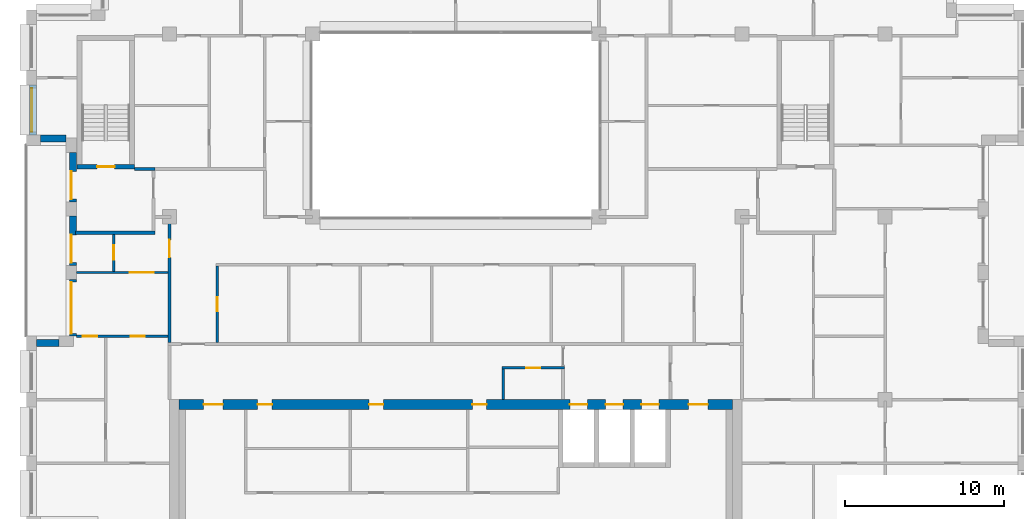
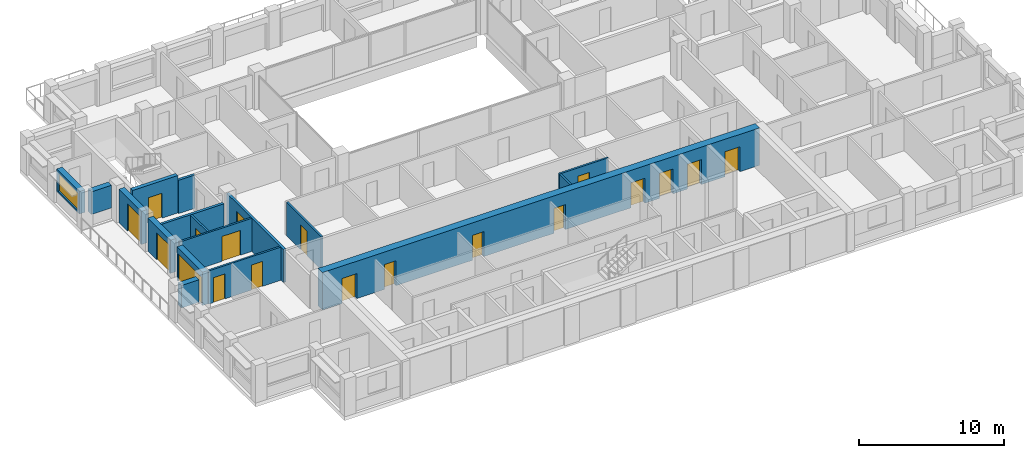
# One storey, part 9 of 15: 19 doors, 17 walls, 1 window, 20 openings.
"""IFC4 building model written with IfcOpenShell, lengths in metres."""

from ifc_helpers import new_model, si_unit, direction, frame, frame_2d, origin, place, context, subcontext, project, spatial, rectangle, extrude, material, layer, layer_set, type_object, element, fill, save


model = new_model("IFC4")

# Units and contexts
model_context = context("Model", 3, precision=1e-05, world=origin(), true_north=direction((0.0, 1.0)))
body_context = subcontext(model_context, "Body", "Model", "MODEL_VIEW")
ifc_project = project(units=[si_unit("LENGTHUNIT", "METRE"), si_unit("AREAUNIT", "SQUARE_METRE"), si_unit("VOLUMEUNIT", "CUBIC_METRE"), si_unit("PLANEANGLEUNIT", "RADIAN"), si_unit("MASSUNIT", "GRAM", prefix="KILO")], contexts=[model_context])

# Site, building, storey
site_placement = place(None, origin())
site = spatial("IfcSite", under=ifc_project, at=site_placement, CompositionType="ELEMENT")
building_placement = place(site_placement, origin())
building = spatial("IfcBuilding", under=site, at=building_placement, Name="Brigalow Station Residences", CompositionType="ELEMENT")
storey_placement = place(building_placement, frame((0.0, 0.0, 232.64990234375)))
storey = spatial("IfcBuildingStorey", under=building, at=storey_placement, Name="L67", CompositionType="ELEMENT", Elevation=232.64990234375)

# Wall, opening, window
ifc_material_1 = material(Name="Clay brick masonry", Category="masonry")
ifc_layer_1 = layer(ifc_material_1, 0.449951171875)
ifc_layer_set_1 = layer_set([ifc_layer_1], Name="BRICK INFILL WALL 450")
wall_type_1 = type_object("IfcWallType", Name="BRICK INFILL WALL 450", PredefinedType="SOLIDWALL", material=ifc_layer_set_1)
wall_1_placement = place(storey_placement, frame((9.425048828125, 32.300048828125, 0.900146484375), z_axis=(0.0, 0.0, 1.0), x_axis=(0.0, -1.0, 0.0)))
wall_1 = element("IfcWall", 1, at=wall_1_placement, inside=storey, type_object=wall_type_1, Name="L67/ewall/W-L67-35", PredefinedType="SOLIDWALL", context=body_context, shape_type="SweptSolid", body=[
    extrude(rectangle(XDim=3.150146484375, YDim=0.449951171875, at=frame_2d((1.5751953125, 0.0))), origin(), (0.0, 0.0, 1.0), 1.89990234375),
])
opening_1_placement = place(wall_1_placement, frame((0.199951171875, 0.0, 0.14990234375)))
opening_1 = element("IfcOpeningElement", 2, at=opening_1_placement, cuts=wall_1, Name="Opening WT-3", PredefinedType="OPENING", context=body_context, shape_type="SweptSolid", body=[
    extrude(rectangle(XDim=2.75, YDim=1.5, at=frame_2d((1.375, 0.75))), frame((0.0, 0.23486328125, 0.0), z_axis=(0.0, -1.0, 0.0), x_axis=(1.0, 0.0, 0.0)), (0.0, 0.0, 1.0), 0.469970703125),
])
ifc_material_2 = material(Name="Anodised aluminium frame with double glazing", Category="aluminium")
window_type = type_object("IfcWindowType", Name="WINDOW 2750x1500", PartitioningType="SINGLE_PANEL", PredefinedType="WINDOW", material=ifc_material_2)
window_placement = place(opening_1_placement, origin())
window = element("IfcWindow", 3, at=window_placement, inside=storey, type_object=window_type, Name="L67/window/W-L67-35", OverallHeight=1.5, OverallWidth=2.75, PartitioningType="SINGLE_PANEL", PredefinedType="WINDOW", context=body_context, shape_type="SweptSolid", body=[
    extrude(rectangle(XDim=2.75, YDim=1.5, at=frame_2d((1.375, 0.75))), frame((0.0, -0.06494140625, 0.0), z_axis=(0.0, -1.0, 0.0), x_axis=(1.0, 0.0, 0.0)), (0.0, 0.0, 1.0), 0.06005859375),
])
fill(opening_1, window)

# Wall
wall_2_placement = place(storey_placement, frame((9.89990234375, 28.925048828125, 0.900146484375), z_axis=(0.0, 0.0, 1.0), x_axis=(1.0, 0.0, 0.0)))
element("IfcWall", 4, at=wall_2_placement, inside=storey, type_object=wall_type_1, Name="L67/ewall/W-L67-36", PredefinedType="SOLIDWALL", context=body_context, shape_type="SweptSolid", body=[
    extrude(rectangle(XDim=1.60009765625, YDim=0.449951171875, at=frame_2d((0.800048828125, 0.0))), origin(), (0.0, 0.0, 1.0), 1.89990234375),
])

# Wall, opening, door
wall_3_placement = place(storey_placement, frame((11.925048828125, 28.050048828125, 0.0), z_axis=(0.0, 0.0, 1.0), x_axis=(0.0, -1.0, 0.0)))
wall_3 = element("IfcWall", 5, at=wall_3_placement, inside=storey, type_object=wall_type_1, Name="L67/ewall/W-L67-37", PredefinedType="SOLIDWALL", context=body_context, shape_type="SweptSolid", body=[
    extrude(rectangle(XDim=3.10009765625, YDim=0.449951171875, at=frame_2d((1.550048828125, 0.0))), origin(), (0.0, 0.0, 1.0), 2.800048828125),
])
opening_2_placement = place(wall_3_placement, frame((1.18505859375, 0.0, 0.0)))
opening_2 = element("IfcOpeningElement", 6, at=opening_2_placement, cuts=wall_3, Name="Opening D-B1750", PredefinedType="OPENING", context=body_context, shape_type="SweptSolid", body=[
    extrude(rectangle(XDim=1.75, YDim=2.300048828125, at=frame_2d((0.875, 1.14990234375))), frame((0.0, 0.23486328125, 0.0), z_axis=(0.0, -1.0, 0.0), x_axis=(1.0, 0.0, 0.0)), (0.0, 0.0, 1.0), 0.469970703125),
])
ifc_material_3 = material(Name="Anodised aluminium frame with double glazing", Category="aluminium")
door_type_1 = type_object("IfcDoorType", Name="BALCONY SLIDING DOOR 1750x2300", OperationType="SLIDING_TO_LEFT", PredefinedType="DOOR", material=ifc_material_3)
door_1_placement = place(opening_2_placement, frame((1.75, -0.18994140625, 0.0), z_axis=(0.0, 0.0, 1.0), x_axis=(-1.0, 0.0, 0.0)))
door_1 = element("IfcDoor", 7, at=door_1_placement, inside=storey, type_object=door_type_1, Name="L67/balcony-door/W-L67-37", OperationType="SLIDING_TO_LEFT", OverallHeight=2.300048828125, OverallWidth=1.75, PredefinedType="DOOR", context=body_context, shape_type="SweptSolid", body=[
    extrude(rectangle(XDim=1.75, YDim=2.300048828125, at=frame_2d((0.875, 1.14990234375))), frame((0.0, -0.06982421875, 0.0), z_axis=(0.0, -1.0, 0.0), x_axis=(1.0, 0.0, 0.0)), (0.0, 0.0, 1.0), 0.050048828125),
])
fill(opening_2, door_1)

wall_4_placement = place(storey_placement, frame((11.925048828125, 24.050048828125, 0.0), z_axis=(0.0, 0.0, 1.0), x_axis=(0.0, -1.0, 0.0)))
wall_4 = element("IfcWall", 8, at=wall_4_placement, inside=storey, type_object=wall_type_1, Name="L67/ewall/W-L67-38", PredefinedType="SOLIDWALL", context=body_context, shape_type="SweptSolid", body=[
    extrude(rectangle(XDim=3.10009765625, YDim=0.449951171875, at=frame_2d((1.550048828125, 0.0))), origin(), (0.0, 0.0, 1.0), 2.800048828125),
])
opening_3_placement = place(wall_4_placement, frame((1.18505859375, 0.0, 0.0)))
opening_3 = element("IfcOpeningElement", 9, at=opening_3_placement, cuts=wall_4, Name="Opening D-B1750", PredefinedType="OPENING", context=body_context, shape_type="SweptSolid", body=[
    extrude(rectangle(XDim=1.75, YDim=2.300048828125, at=frame_2d((0.875, 1.14990234375))), frame((0.0, 0.23486328125, 0.0), z_axis=(0.0, -1.0, 0.0), x_axis=(1.0, 0.0, 0.0)), (0.0, 0.0, 1.0), 0.469970703125),
])
door_2_placement = place(opening_3_placement, origin())
door_2 = element("IfcDoor", 10, at=door_2_placement, inside=storey, type_object=door_type_1, Name="L67/balcony-door/W-L67-38", OperationType="SLIDING_TO_LEFT", OverallHeight=2.300048828125, OverallWidth=1.75, PredefinedType="DOOR", context=body_context, shape_type="SweptSolid", body=[
    extrude(rectangle(XDim=1.75, YDim=2.300048828125, at=frame_2d((0.875, 1.14990234375))), frame((0.0, -0.06982421875, 0.0), z_axis=(0.0, -1.0, 0.0), x_axis=(1.0, 0.0, 0.0)), (0.0, 0.0, 1.0), 0.050048828125),
])
fill(opening_3, door_2)

wall_5_placement = place(storey_placement, frame((11.925048828125, 20.050048828125, 0.0), z_axis=(0.0, 0.0, 1.0), x_axis=(0.0, -1.0, 0.0)))
wall_5 = element("IfcWall", 11, at=wall_5_placement, inside=storey, type_object=wall_type_1, Name="L67/ewall/W-L67-39", PredefinedType="SOLIDWALL", context=body_context, shape_type="SweptSolid", body=[
    extrude(rectangle(XDim=3.550048828125, YDim=0.449951171875, at=frame_2d((1.77490234375, 0.0))), origin(), (0.0, 0.0, 1.0), 2.800048828125),
])
opening_4_placement = place(wall_5_placement, frame((0.14990234375, 0.0, 0.0)))
opening_4 = element("IfcOpeningElement", 12, at=opening_4_placement, cuts=wall_5, Name="Opening D-B3250", PredefinedType="OPENING", context=body_context, shape_type="SweptSolid", body=[
    extrude(rectangle(XDim=3.25, YDim=2.300048828125, at=frame_2d((1.625, 1.14990234375))), frame((0.0, 0.23486328125, 0.0), z_axis=(0.0, -1.0, 0.0), x_axis=(1.0, 0.0, 0.0)), (0.0, 0.0, 1.0), 0.469970703125),
])
ifc_material_4 = material(Name="Anodised aluminium frame with double glazing", Category="aluminium")
door_type_2 = type_object("IfcDoorType", Name="BALCONY SLIDING DOOR 3250x2300", OperationType="SLIDING_TO_LEFT", PredefinedType="DOOR", material=ifc_material_4)
door_3_placement = place(opening_4_placement, origin())
door_3 = element("IfcDoor", 13, at=door_3_placement, inside=storey, type_object=door_type_2, Name="L67/balcony-door/W-L67-39", OperationType="SLIDING_TO_LEFT", OverallHeight=2.300048828125, OverallWidth=3.25, PredefinedType="DOOR", context=body_context, shape_type="SweptSolid", body=[
    extrude(rectangle(XDim=3.25, YDim=2.300048828125, at=frame_2d((1.625, 1.14990234375))), frame((0.0, -0.06982421875, 0.0), z_axis=(0.0, -1.0, 0.0), x_axis=(1.0, 0.0, 0.0)), (0.0, 0.0, 1.0), 0.050048828125),
])
fill(opening_4, door_3)

# Wall
wall_6_placement = place(storey_placement, frame((11.050048828125, 16.074951171875, 0.900146484375), z_axis=(0.0, 0.0, 1.0), x_axis=(-1.0, 0.0, 0.0)))
element("IfcWall", 14, at=wall_6_placement, inside=storey, type_object=wall_type_1, Name="L67/ewall/W-L67-40", PredefinedType="SOLIDWALL", context=body_context, shape_type="SweptSolid", body=[
    extrude(rectangle(XDim=1.400146484375, YDim=0.449951171875, at=frame_2d((0.7001953125, 0.0))), origin(), (0.0, 0.0, 1.0), 1.89990234375),
])

# Wall, opening, door
ifc_material_5 = material(Name="Concrete C50", Category="concrete")
ifc_layer_2 = layer(ifc_material_5, 0.300048828125)
ifc_layer_set_2 = layer_set([ifc_layer_2], Name="CORE SHEAR WALL 300 C50")
wall_type_2 = type_object("IfcWallType", Name="CORE SHEAR WALL 300 C50", PredefinedType="SHEAR", material=ifc_layer_set_2)
wall_7_placement = place(storey_placement, frame((12.199951171875, 27.14990234375, 0.0), z_axis=(0.0, 0.0, 1.0), x_axis=(1.0, 0.0, 0.0)))
wall_7 = element("IfcWall", 15, at=wall_7_placement, inside=storey, type_object=wall_type_2, Name="CORE WALL ST-S1-S L67", PredefinedType="SHEAR", context=body_context, shape_type="SweptSolid", body=[
    extrude(rectangle(XDim=3.60009765625, YDim=0.300048828125, at=frame_2d((1.800048828125, 0.0))), origin(), (0.0, 0.0, 1.0), 3.150146484375),
])
opening_5_placement = place(wall_7_placement, frame((1.25, 0.0, 0.0)))
opening_5 = element("IfcOpeningElement", 16, at=opening_5_placement, cuts=wall_7, Name="Opening D-5015", PredefinedType="OPENING", context=body_context, shape_type="SweptSolid", body=[
    extrude(rectangle(XDim=1.10009765625, YDim=2.10009765625, at=frame_2d((0.550048828125, 1.050048828125))), frame((0.0, 0.16015625, 0.0), z_axis=(0.0, -1.0, 0.0), x_axis=(1.0, 0.0, 0.0)), (0.0, 0.0, 1.0), 0.320068359375),
])
ifc_material_6 = material(Name="Steel fire door leaf in steel frame", Category="steel")
door_type_3 = type_object("IfcDoorType", Name="STAIR DOOR 1100 x 2100 FD60S", OperationType="SINGLE_SWING_LEFT", PredefinedType="DOOR", material=ifc_material_6)
door_4_placement = place(opening_5_placement, origin())
door_4 = element("IfcDoor", 17, at=door_4_placement, inside=storey, type_object=door_type_3, Name="D-5015", OperationType="SINGLE_SWING_LEFT", OverallHeight=2.10009765625, OverallWidth=1.10009765625, PredefinedType="DOOR", context=body_context, shape_type="SweptSolid", body=[
    extrude(rectangle(XDim=1.10009765625, YDim=2.10009765625, at=frame_2d((0.550048828125, 1.050048828125))), frame((0.0, 0.02490234375, 0.0), z_axis=(0.0, -1.0, 0.0), x_axis=(1.0, 0.0, 0.0)), (0.0, 0.0, 1.0), 0.050048828125),
])
fill(opening_5, door_4)

# Wall, openings, doors
ifc_material_7 = material(Name="Concrete C50", Category="concrete")
ifc_layer_3 = layer(ifc_material_7, 0.60009765625)
ifc_layer_set_3 = layer_set([ifc_layer_3], Name="CORE SHEAR WALL 600 C50")
wall_type_3 = type_object("IfcWallType", Name="CORE SHEAR WALL 600 C50", PredefinedType="SHEAR", material=ifc_layer_set_3)
wall_8_placement = place(storey_placement, frame((18.60009765625, 12.199951171875, 0.0), z_axis=(0.0, 0.0, 1.0), x_axis=(1.0, 0.0, 0.0)))
wall_8 = element("IfcWall", 18, at=wall_8_placement, inside=storey, type_object=wall_type_3, Name="CORE WALL OUT-N L67", PredefinedType="SHEAR", context=body_context, shape_type="SweptSolid", body=[
    extrude(rectangle(XDim=34.7998046875, YDim=0.60009765625, at=frame_2d((17.39990234375, 0.0))), origin(), (0.0, 0.0, 1.0), 3.150146484375),
])
opening_6_placement = place(wall_8_placement, frame((24.574951171875, 0.0, 0.0)))
opening_6 = element("IfcOpeningElement", 19, at=opening_6_placement, cuts=wall_8, Name="Opening LD-LF1", PredefinedType="OPENING", context=body_context, shape_type="SweptSolid", body=[
    extrude(rectangle(XDim=1.10009765625, YDim=2.10009765625, at=frame_2d((0.550048828125, 1.050048828125))), frame((0.0, 0.31005859375, 0.0), z_axis=(0.0, -1.0, 0.0), x_axis=(1.0, 0.0, 0.0)), (0.0, 0.0, 1.0), 0.6201171875),
])
opening_7_placement = place(wall_8_placement, frame((26.824951171875, 0.0, 0.0)))
opening_7 = element("IfcOpeningElement", 20, at=opening_7_placement, cuts=wall_8, Name="Opening LD-LF2", PredefinedType="OPENING", context=body_context, shape_type="SweptSolid", body=[
    extrude(rectangle(XDim=1.10009765625, YDim=2.10009765625, at=frame_2d((0.550048828125, 1.050048828125))), frame((0.0, 0.31005859375, 0.0), z_axis=(0.0, -1.0, 0.0), x_axis=(1.0, 0.0, 0.0)), (0.0, 0.0, 1.0), 0.6201171875),
])
opening_8_placement = place(wall_8_placement, frame((29.074951171875, 0.0, 0.0)))
opening_8 = element("IfcOpeningElement", 21, at=opening_8_placement, cuts=wall_8, Name="Opening LD-LG1", PredefinedType="OPENING", context=body_context, shape_type="SweptSolid", body=[
    extrude(rectangle(XDim=1.10009765625, YDim=2.10009765625, at=frame_2d((0.550048828125, 1.050048828125))), frame((0.0, 0.31005859375, 0.0), z_axis=(0.0, -1.0, 0.0), x_axis=(1.0, 0.0, 0.0)), (0.0, 0.0, 1.0), 0.6201171875),
])
opening_9_placement = place(wall_8_placement, frame((4.949951171875, 0.0, 0.0)))
opening_9 = element("IfcOpeningElement", 22, at=opening_9_placement, cuts=wall_8, Name="Opening D-5118", PredefinedType="OPENING", context=body_context, shape_type="SweptSolid", body=[
    extrude(rectangle(XDim=0.89990234375, YDim=2.10009765625, at=frame_2d((0.449951171875, 1.050048828125))), frame((0.0, 0.31005859375, 0.0), z_axis=(0.0, -1.0, 0.0), x_axis=(1.0, 0.0, 0.0)), (0.0, 0.0, 1.0), 0.6201171875),
])
opening_10_placement = place(wall_8_placement, frame((11.949951171875, 0.0, 0.0)))
opening_10 = element("IfcOpeningElement", 23, at=opening_10_placement, cuts=wall_8, Name="Opening D-5122", PredefinedType="OPENING", context=body_context, shape_type="SweptSolid", body=[
    extrude(rectangle(XDim=0.89990234375, YDim=2.10009765625, at=frame_2d((0.449951171875, 1.050048828125))), frame((0.0, 0.31005859375, 0.0), z_axis=(0.0, -1.0, 0.0), x_axis=(1.0, 0.0, 0.0)), (0.0, 0.0, 1.0), 0.6201171875),
])
opening_11_placement = place(wall_8_placement, frame((18.449951171875, 0.0, 0.0)))
opening_11 = element("IfcOpeningElement", 24, at=opening_11_placement, cuts=wall_8, Name="Opening D-5119", PredefinedType="OPENING", context=body_context, shape_type="SweptSolid", body=[
    extrude(rectangle(XDim=0.89990234375, YDim=2.10009765625, at=frame_2d((0.449951171875, 1.050048828125))), frame((0.0, 0.31005859375, 0.0), z_axis=(0.0, -1.0, 0.0), x_axis=(1.0, 0.0, 0.0)), (0.0, 0.0, 1.0), 0.6201171875),
])
opening_12_placement = place(wall_8_placement, frame((1.550048828125, 0.0, 0.0)))
opening_12 = element("IfcOpeningElement", 25, at=opening_12_placement, cuts=wall_8, Name="Opening D-5011", PredefinedType="OPENING", context=body_context, shape_type="SweptSolid", body=[
    extrude(rectangle(XDim=1.199951171875, YDim=2.10009765625, at=frame_2d((0.60009765625, 1.050048828125))), frame((0.0, 0.31005859375, 0.0), z_axis=(0.0, -1.0, 0.0), x_axis=(1.0, 0.0, 0.0)), (0.0, 0.0, 1.0), 0.6201171875),
])
opening_13_placement = place(wall_8_placement, frame((32.050048828125, 0.0, 0.0)))
opening_13 = element("IfcOpeningElement", 26, at=opening_13_placement, cuts=wall_8, Name="Opening D-5012", PredefinedType="OPENING", context=body_context, shape_type="SweptSolid", body=[
    extrude(rectangle(XDim=1.199951171875, YDim=2.10009765625, at=frame_2d((0.60009765625, 1.050048828125))), frame((0.0, 0.31005859375, 0.0), z_axis=(0.0, -1.0, 0.0), x_axis=(1.0, 0.0, 0.0)), (0.0, 0.0, 1.0), 0.6201171875),
])
ifc_material_8 = material(Name="Steel fire door leaf in steel frame", Category="steel")
door_type_4 = type_object("IfcDoorType", Name="CORE CORRIDOR DOOR 1200 x 2100 FD60S", OperationType="SINGLE_SWING_LEFT", PredefinedType="DOOR", material=ifc_material_8)
door_5_placement = place(opening_12_placement, frame((1.199951171875, 0.0, 0.0), z_axis=(0.0, 0.0, 1.0), x_axis=(-1.0, 0.0, 0.0)))
door_5 = element("IfcDoor", 27, at=door_5_placement, inside=storey, type_object=door_type_4, Name="D-5011", OperationType="SINGLE_SWING_LEFT", OverallHeight=2.10009765625, OverallWidth=1.199951171875, PredefinedType="DOOR", context=body_context, shape_type="SweptSolid", body=[
    extrude(rectangle(XDim=1.199951171875, YDim=2.10009765625, at=frame_2d((0.60009765625, 1.050048828125))), frame((0.0, 0.02490234375, 0.0), z_axis=(0.0, -1.0, 0.0), x_axis=(1.0, 0.0, 0.0)), (0.0, 0.0, 1.0), 0.050048828125),
])
fill(opening_12, door_5)
door_6_placement = place(opening_13_placement, frame((1.199951171875, 0.0, 0.0), z_axis=(0.0, 0.0, 1.0), x_axis=(-1.0, 0.0, 0.0)))
door_6 = element("IfcDoor", 28, at=door_6_placement, inside=storey, type_object=door_type_4, Name="D-5012", OperationType="SINGLE_SWING_LEFT", OverallHeight=2.10009765625, OverallWidth=1.199951171875, PredefinedType="DOOR", context=body_context, shape_type="SweptSolid", body=[
    extrude(rectangle(XDim=1.199951171875, YDim=2.10009765625, at=frame_2d((0.60009765625, 1.050048828125))), frame((0.0, 0.02490234375, 0.0), z_axis=(0.0, -1.0, 0.0), x_axis=(1.0, 0.0, 0.0)), (0.0, 0.0, 1.0), 0.050048828125),
])
fill(opening_13, door_6)
ifc_material_9 = material(Name="Stainless steel sliding door leaves", Category="steel")
door_type_5 = type_object("IfcDoorType", Name="LIFT LANDING DOOR 1100 x 2100", OperationType="DOUBLE_DOOR_SLIDING", PredefinedType="DOOR", material=ifc_material_9)
door_7_placement = place(opening_6_placement, origin())
door_7 = element("IfcDoor", 29, at=door_7_placement, inside=storey, type_object=door_type_5, Name="LANDING DOOR LF1", OperationType="DOUBLE_DOOR_SLIDING", OverallHeight=2.10009765625, OverallWidth=1.10009765625, PredefinedType="DOOR", context=body_context, shape_type="SweptSolid", body=[
    extrude(rectangle(XDim=1.10009765625, YDim=2.10009765625, at=frame_2d((0.550048828125, 1.050048828125))), frame((0.0, 0.02490234375, 0.0), z_axis=(0.0, -1.0, 0.0), x_axis=(1.0, 0.0, 0.0)), (0.0, 0.0, 1.0), 0.050048828125),
])
fill(opening_6, door_7)
door_8_placement = place(opening_7_placement, origin())
door_8 = element("IfcDoor", 30, at=door_8_placement, inside=storey, type_object=door_type_5, Name="LANDING DOOR LF2", OperationType="DOUBLE_DOOR_SLIDING", OverallHeight=2.10009765625, OverallWidth=1.10009765625, PredefinedType="DOOR", context=body_context, shape_type="SweptSolid", body=[
    extrude(rectangle(XDim=1.10009765625, YDim=2.10009765625, at=frame_2d((0.550048828125, 1.050048828125))), frame((0.0, 0.02490234375, 0.0), z_axis=(0.0, -1.0, 0.0), x_axis=(1.0, 0.0, 0.0)), (0.0, 0.0, 1.0), 0.050048828125),
])
fill(opening_7, door_8)
door_9_placement = place(opening_8_placement, origin())
door_9 = element("IfcDoor", 31, at=door_9_placement, inside=storey, type_object=door_type_5, Name="LANDING DOOR LG1", OperationType="DOUBLE_DOOR_SLIDING", OverallHeight=2.10009765625, OverallWidth=1.10009765625, PredefinedType="DOOR", context=body_context, shape_type="SweptSolid", body=[
    extrude(rectangle(XDim=1.10009765625, YDim=2.10009765625, at=frame_2d((0.550048828125, 1.050048828125))), frame((0.0, 0.02490234375, 0.0), z_axis=(0.0, -1.0, 0.0), x_axis=(1.0, 0.0, 0.0)), (0.0, 0.0, 1.0), 0.050048828125),
])
fill(opening_8, door_9)
ifc_material_10 = material(Name="Steel door leaf in steel frame", Category="steel")
door_type_6 = type_object("IfcDoorType", Name="SERVICE ROOM DOOR 900 x 2100 FD60", OperationType="SINGLE_SWING_LEFT", PredefinedType="DOOR", material=ifc_material_10)
door_10_placement = place(opening_9_placement, frame((0.89990234375, 0.0, 0.0), z_axis=(0.0, 0.0, 1.0), x_axis=(-1.0, 0.0, 0.0)))
door_10 = element("IfcDoor", 32, at=door_10_placement, inside=storey, type_object=door_type_6, Name="D-5118", OperationType="SINGLE_SWING_RIGHT", OverallHeight=2.10009765625, OverallWidth=0.89990234375, PredefinedType="DOOR", context=body_context, shape_type="SweptSolid", body=[
    extrude(rectangle(XDim=0.89990234375, YDim=2.10009765625, at=frame_2d((0.449951171875, 1.050048828125))), frame((0.0, 0.02490234375, 0.0), z_axis=(0.0, -1.0, 0.0), x_axis=(1.0, 0.0, 0.0)), (0.0, 0.0, 1.0), 0.050048828125),
])
fill(opening_9, door_10)
door_11_placement = place(opening_10_placement, frame((0.89990234375, 0.0, 0.0), z_axis=(0.0, 0.0, 1.0), x_axis=(-1.0, 0.0, 0.0)))
door_11 = element("IfcDoor", 33, at=door_11_placement, inside=storey, type_object=door_type_6, Name="D-5122", OperationType="SINGLE_SWING_RIGHT", OverallHeight=2.10009765625, OverallWidth=0.89990234375, PredefinedType="DOOR", context=body_context, shape_type="SweptSolid", body=[
    extrude(rectangle(XDim=0.89990234375, YDim=2.10009765625, at=frame_2d((0.449951171875, 1.050048828125))), frame((0.0, 0.02490234375, 0.0), z_axis=(0.0, -1.0, 0.0), x_axis=(1.0, 0.0, 0.0)), (0.0, 0.0, 1.0), 0.050048828125),
])
fill(opening_10, door_11)
door_12_placement = place(opening_11_placement, frame((0.89990234375, 0.0, 0.0), z_axis=(0.0, 0.0, 1.0), x_axis=(-1.0, 0.0, 0.0)))
door_12 = element("IfcDoor", 34, at=door_12_placement, inside=storey, type_object=door_type_6, Name="D-5119", OperationType="SINGLE_SWING_RIGHT", OverallHeight=2.10009765625, OverallWidth=0.89990234375, PredefinedType="DOOR", context=body_context, shape_type="SweptSolid", body=[
    extrude(rectangle(XDim=0.89990234375, YDim=2.10009765625, at=frame_2d((0.449951171875, 1.050048828125))), frame((0.0, 0.02490234375, 0.0), z_axis=(0.0, -1.0, 0.0), x_axis=(1.0, 0.0, 0.0)), (0.0, 0.0, 1.0), 0.050048828125),
])
fill(opening_11, door_12)

# Walls
ifc_material_11 = material(Name="Concrete blockwork", Category="masonry")
ifc_layer_4 = layer(ifc_material_11, 0.199951171875)
ifc_layer_set_4 = layer_set([ifc_layer_4], Name="FIRE RATED CORE PARTITION 200")
wall_type_4 = type_object("IfcWallType", Name="FIRE RATED CORE PARTITION 200", PredefinedType="PARTITIONING", material=ifc_layer_set_4)
wall_9_placement = place(storey_placement, frame((12.10009765625, 23.0, 0.0), z_axis=(0.0, 0.0, 1.0), x_axis=(1.0, 0.0, 0.0)))
element("IfcWall", 35, at=wall_9_placement, inside=storey, type_object=wall_type_4, Name="PW-5023", PredefinedType="PARTITIONING", context=body_context, shape_type="SweptSolid", body=[
    extrude(rectangle(XDim=5.0, YDim=0.199951171875, at=frame_2d((2.5, 0.0))), origin(), (0.0, 0.0, 1.0), 2.800048828125),
])
wall_10_placement = place(storey_placement, frame((15.800048828125, 27.0, 0.0), z_axis=(0.0, 0.0, 1.0), x_axis=(1.0, 0.0, 0.0)))
element("IfcWall", 36, at=wall_10_placement, inside=storey, type_object=wall_type_4, Name="PW-5025", PredefinedType="PARTITIONING", context=body_context, shape_type="SweptSolid", body=[
    extrude(rectangle(XDim=1.300048828125, YDim=0.199951171875, at=frame_2d((0.64990234375, 0.0))), origin(), (0.0, 0.0, 1.0), 2.800048828125),
])

# Wall, opening, door
ifc_material_12 = material(Name="Plasterboard on steel stud partition", Category="steel")
ifc_layer_5 = layer(ifc_material_12, 0.14990234375)
ifc_layer_set_5 = layer_set([ifc_layer_5], Name="FLAT PARTITION 150")
wall_type_5 = type_object("IfcWallType", Name="FLAT PARTITION 150", PredefinedType="PARTITIONING", material=ifc_layer_set_5)
wall_11_placement = place(storey_placement, frame((12.14990234375, 20.5, 0.0), z_axis=(0.0, 0.0, 1.0), x_axis=(1.0, 0.0, 0.0)))
wall_11 = element("IfcWall", 37, at=wall_11_placement, inside=storey, type_object=wall_type_5, Name="PW-4E08", PredefinedType="PARTITIONING", context=body_context, shape_type="SweptSolid", body=[
    extrude(rectangle(XDim=5.75, YDim=0.14990234375, at=frame_2d((2.875, 0.0))), origin(), (0.0, 0.0, 1.0), 2.800048828125),
])
opening_14_placement = place(wall_11_placement, frame((3.35009765625, 0.0, 0.0)))
opening_14 = element("IfcOpeningElement", 38, at=opening_14_placement, cuts=wall_11, Name="Opening D-4E05", PredefinedType="OPENING", context=body_context, shape_type="SweptSolid", body=[
    extrude(rectangle(XDim=1.5, YDim=2.10009765625, at=frame_2d((0.75, 1.050048828125))), frame((0.0, 0.0849609375, 0.0), z_axis=(0.0, -1.0, 0.0), x_axis=(1.0, 0.0, 0.0)), (0.0, 0.0, 1.0), 0.169921875),
])
ifc_material_13 = material(Name="Solid-core timber door leaf", Category="wood")
door_type_7 = type_object("IfcDoorType", Name="INTERNAL DOUBLE DOOR 1500 x 2100", OperationType="DOUBLE_DOOR_SINGLE_SWING", PredefinedType="DOOR", material=ifc_material_13)
door_13_placement = place(opening_14_placement, origin())
door_13 = element("IfcDoor", 39, at=door_13_placement, inside=storey, type_object=door_type_7, Name="D-4E05", OperationType="DOUBLE_DOOR_SINGLE_SWING", OverallHeight=2.10009765625, OverallWidth=1.5, PredefinedType="DOOR", context=body_context, shape_type="SweptSolid", body=[
    extrude(rectangle(XDim=1.5, YDim=2.10009765625, at=frame_2d((0.75, 1.050048828125))), frame((0.0, 0.02490234375, 0.0), z_axis=(0.0, -1.0, 0.0), x_axis=(1.0, 0.0, 0.0)), (0.0, 0.0, 1.0), 0.050048828125),
])
fill(opening_14, door_13)

# Wall, openings, doors
wall_12_placement = place(storey_placement, frame((12.14990234375, 16.5, 0.0), z_axis=(0.0, 0.0, 1.0), x_axis=(1.0, 0.0, 0.0)))
wall_12 = element("IfcWall", 40, at=wall_12_placement, inside=storey, type_object=wall_type_5, Name="PW-4E09", PredefinedType="PARTITIONING", context=body_context, shape_type="SweptSolid", body=[
    extrude(rectangle(XDim=5.75, YDim=0.14990234375, at=frame_2d((2.875, 0.0))), origin(), (0.0, 0.0, 1.0), 2.800048828125),
])
opening_15_placement = place(wall_12_placement, frame((0.39990234375, 0.0, 0.0)))
opening_15 = element("IfcOpeningElement", 41, at=opening_15_placement, cuts=wall_12, Name="Opening D-4E06", PredefinedType="OPENING", context=body_context, shape_type="SweptSolid", body=[
    extrude(rectangle(XDim=0.89990234375, YDim=2.10009765625, at=frame_2d((0.449951171875, 1.050048828125))), frame((0.0, 0.0849609375, 0.0), z_axis=(0.0, -1.0, 0.0), x_axis=(1.0, 0.0, 0.0)), (0.0, 0.0, 1.0), 0.169921875),
])
opening_16_placement = place(wall_12_placement, frame((3.39990234375, 0.0, 0.0)))
opening_16 = element("IfcOpeningElement", 42, at=opening_16_placement, cuts=wall_12, Name="Opening D-4E07", PredefinedType="OPENING", context=body_context, shape_type="SweptSolid", body=[
    extrude(rectangle(XDim=0.89990234375, YDim=2.10009765625, at=frame_2d((0.449951171875, 1.050048828125))), frame((0.0, 0.0849609375, 0.0), z_axis=(0.0, -1.0, 0.0), x_axis=(1.0, 0.0, 0.0)), (0.0, 0.0, 1.0), 0.169921875),
])
ifc_material_14 = material(Name="Solid-core timber door leaf", Category="wood")
door_type_8 = type_object("IfcDoorType", Name="INTERNAL DOOR 900 x 2100", OperationType="SINGLE_SWING_LEFT", PredefinedType="DOOR", material=ifc_material_14)
door_14_placement = place(opening_15_placement, frame((0.89990234375, 0.0, 0.0), z_axis=(0.0, 0.0, 1.0), x_axis=(-1.0, 0.0, 0.0)))
door_14 = element("IfcDoor", 43, at=door_14_placement, inside=storey, type_object=door_type_8, Name="D-4E06", OperationType="SINGLE_SWING_RIGHT", OverallHeight=2.10009765625, OverallWidth=0.89990234375, PredefinedType="DOOR", context=body_context, shape_type="SweptSolid", body=[
    extrude(rectangle(XDim=0.89990234375, YDim=2.10009765625, at=frame_2d((0.449951171875, 1.050048828125))), frame((0.0, 0.02490234375, 0.0), z_axis=(0.0, -1.0, 0.0), x_axis=(1.0, 0.0, 0.0)), (0.0, 0.0, 1.0), 0.050048828125),
])
fill(opening_15, door_14)
door_15_placement = place(opening_16_placement, origin())
door_15 = element("IfcDoor", 44, at=door_15_placement, inside=storey, type_object=door_type_8, Name="D-4E07", OperationType="SINGLE_SWING_RIGHT", OverallHeight=2.10009765625, OverallWidth=0.89990234375, PredefinedType="DOOR", context=body_context, shape_type="SweptSolid", body=[
    extrude(rectangle(XDim=0.89990234375, YDim=2.10009765625, at=frame_2d((0.449951171875, 1.050048828125))), frame((0.0, 0.02490234375, 0.0), z_axis=(0.0, -1.0, 0.0), x_axis=(1.0, 0.0, 0.0)), (0.0, 0.0, 1.0), 0.050048828125),
])
fill(opening_16, door_15)

# Wall, opening, door
wall_13_placement = place(storey_placement, frame((21.0, 16.10009765625, 0.0), z_axis=(0.0, 0.0, 1.0), x_axis=(0.0, 1.0, 0.0)))
wall_13 = element("IfcWall", 45, at=wall_13_placement, inside=storey, type_object=wall_type_5, Name="PW-4E34", PredefinedType="PARTITIONING", context=body_context, shape_type="SweptSolid", body=[
    extrude(rectangle(XDim=4.824951171875, YDim=0.14990234375, at=frame_2d((2.41259765625, 0.0))), origin(), (0.0, 0.0, 1.0), 2.800048828125),
])
opening_17_placement = place(wall_13_placement, frame((1.949951171875, 0.0, 0.0)))
opening_17 = element("IfcOpeningElement", 46, at=opening_17_placement, cuts=wall_13, Name="Opening D-4E44", PredefinedType="OPENING", context=body_context, shape_type="SweptSolid", body=[
    extrude(rectangle(XDim=0.89990234375, YDim=2.10009765625, at=frame_2d((0.449951171875, 1.050048828125))), frame((0.0, 0.0849609375, 0.0), z_axis=(0.0, -1.0, 0.0), x_axis=(1.0, 0.0, 0.0)), (0.0, 0.0, 1.0), 0.169921875),
])
door_16_placement = place(opening_17_placement, frame((0.89990234375, 0.0, 0.0), z_axis=(0.0, 0.0, 1.0), x_axis=(-1.0, 0.0, 0.0)))
door_16 = element("IfcDoor", 47, at=door_16_placement, inside=storey, type_object=door_type_8, Name="D-4E44", OperationType="SINGLE_SWING_RIGHT", OverallHeight=2.10009765625, OverallWidth=0.89990234375, PredefinedType="DOOR", context=body_context, shape_type="SweptSolid", body=[
    extrude(rectangle(XDim=0.89990234375, YDim=2.10009765625, at=frame_2d((0.449951171875, 1.050048828125))), frame((0.0, 0.02490234375, 0.0), z_axis=(0.0, -1.0, 0.0), x_axis=(1.0, 0.0, 0.0)), (0.0, 0.0, 1.0), 0.050048828125),
])
fill(opening_17, door_16)

wall_14_placement = place(storey_placement, frame((14.5, 20.574951171875, 0.0), z_axis=(0.0, 0.0, 1.0), x_axis=(0.0, 1.0, 0.0)))
wall_14 = element("IfcWall", 48, at=wall_14_placement, inside=storey, type_object=wall_type_5, Name="PW-4E39", PredefinedType="PARTITIONING", context=body_context, shape_type="SweptSolid", body=[
    extrude(rectangle(XDim=2.324951171875, YDim=0.14990234375, at=frame_2d((1.16259765625, 0.0))), origin(), (0.0, 0.0, 1.0), 2.800048828125),
])
opening_18_placement = place(wall_14_placement, frame((0.72509765625, 0.0, 0.0)))
opening_18 = element("IfcOpeningElement", 49, at=opening_18_placement, cuts=wall_14, Name="Opening D-4E04", PredefinedType="OPENING", context=body_context, shape_type="SweptSolid", body=[
    extrude(rectangle(XDim=0.89990234375, YDim=2.10009765625, at=frame_2d((0.449951171875, 1.050048828125))), frame((0.0, 0.0849609375, 0.0), z_axis=(0.0, -1.0, 0.0), x_axis=(1.0, 0.0, 0.0)), (0.0, 0.0, 1.0), 0.169921875),
])
door_17_placement = place(opening_18_placement, origin())
door_17 = element("IfcDoor", 50, at=door_17_placement, inside=storey, type_object=door_type_8, Name="D-4E04", OperationType="SINGLE_SWING_RIGHT", OverallHeight=2.10009765625, OverallWidth=0.89990234375, PredefinedType="DOOR", context=body_context, shape_type="SweptSolid", body=[
    extrude(rectangle(XDim=0.89990234375, YDim=2.10009765625, at=frame_2d((0.449951171875, 1.050048828125))), frame((0.0, 0.02490234375, 0.0), z_axis=(0.0, -1.0, 0.0), x_axis=(1.0, 0.0, 0.0)), (0.0, 0.0, 1.0), 0.050048828125),
])
fill(opening_18, door_17)

ifc_material_15 = material(Name="Plasterboard on steel stud partition", Category="steel")
ifc_layer_6 = layer(ifc_material_15, 0.199951171875)
ifc_layer_set_6 = layer_set([ifc_layer_6], Name="PARTY AND CORRIDOR WALL 200")
wall_type_6 = type_object("IfcWallType", Name="PARTY AND CORRIDOR WALL 200", PredefinedType="PARTITIONING", material=ifc_layer_set_6)
wall_15_placement = place(storey_placement, frame((18.0, 16.10009765625, 0.0), z_axis=(0.0, 0.0, 1.0), x_axis=(0.0, 1.0, 0.0)))
wall_15 = element("IfcWall", 51, at=wall_15_placement, inside=storey, type_object=wall_type_6, Name="PW-4E32", PredefinedType="PARTITIONING", context=body_context, shape_type="SweptSolid", body=[
    extrude(rectangle(XDim=7.7998046875, YDim=0.199951171875, at=frame_2d((3.89990234375, 0.0))), origin(), (0.0, 0.0, 1.0), 2.800048828125),
])
opening_19_placement = place(wall_15_placement, frame((5.35009765625, 0.0, 0.0)))
opening_19 = element("IfcOpeningElement", 52, at=opening_19_placement, cuts=wall_15, Name="Opening D-4E03", PredefinedType="OPENING", context=body_context, shape_type="SweptSolid", body=[
    extrude(rectangle(XDim=1.10009765625, YDim=2.10009765625, at=frame_2d((0.550048828125, 1.050048828125))), frame((0.0, 0.10986328125, 0.0), z_axis=(0.0, -1.0, 0.0), x_axis=(1.0, 0.0, 0.0)), (0.0, 0.0, 1.0), 0.219970703125),
])
ifc_material_16 = material(Name="Solid-core timber door leaf", Category="wood")
door_type_9 = type_object("IfcDoorType", Name="FLAT ENTRANCE DOOR 1100 x 2100 FRL -/60/30", OperationType="SINGLE_SWING_LEFT", PredefinedType="DOOR", material=ifc_material_16)
door_18_placement = place(opening_19_placement, origin())
door_18 = element("IfcDoor", 53, at=door_18_placement, inside=storey, type_object=door_type_9, Name="D-4E03", OperationType="SINGLE_SWING_LEFT", OverallHeight=2.10009765625, OverallWidth=1.10009765625, PredefinedType="DOOR", context=body_context, shape_type="SweptSolid", body=[
    extrude(rectangle(XDim=1.10009765625, YDim=2.10009765625, at=frame_2d((0.550048828125, 1.050048828125))), frame((0.0, 0.02490234375, 0.0), z_axis=(0.0, -1.0, 0.0), x_axis=(1.0, 0.0, 0.0)), (0.0, 0.0, 1.0), 0.050048828125),
])
fill(opening_19, door_18)

ifc_material_17 = material(Name="Plasterboard on steel studs", Category="steel")
ifc_layer_7 = layer(ifc_material_17, 0.14990234375)
ifc_layer_set_7 = layer_set([ifc_layer_7], Name="SERVICE ROOM PARTITION 150")
wall_type_7 = type_object("IfcWallType", Name="SERVICE ROOM PARTITION 150", PredefinedType="PARTITIONING", material=ifc_layer_set_7)
wall_16_placement = place(storey_placement, frame((38.925048828125, 14.5, 0.0), z_axis=(0.0, 0.0, 1.0), x_axis=(1.0, 0.0, 0.0)))
wall_16 = element("IfcWall", 54, at=wall_16_placement, inside=storey, type_object=wall_type_7, Name="PW-5129", PredefinedType="PARTITIONING", context=body_context, shape_type="SweptSolid", body=[
    extrude(rectangle(XDim=3.925048828125, YDim=0.14990234375, at=frame_2d((1.96240234375, 0.0))), origin(), (0.0, 0.0, 1.0), 2.800048828125),
])
opening_20_placement = place(wall_16_placement, frame((1.5, 0.0, 0.0)))
opening_20 = element("IfcOpeningElement", 55, at=opening_20_placement, cuts=wall_16, Name="Opening D-5076", PredefinedType="OPENING", context=body_context, shape_type="SweptSolid", body=[
    extrude(rectangle(XDim=0.89990234375, YDim=2.10009765625, at=frame_2d((0.449951171875, 1.050048828125))), frame((0.0, 0.0849609375, 0.0), z_axis=(0.0, -1.0, 0.0), x_axis=(1.0, 0.0, 0.0)), (0.0, 0.0, 1.0), 0.169921875),
])
door_19_placement = place(opening_20_placement, frame((0.89990234375, 0.0, 0.0), z_axis=(0.0, 0.0, 1.0), x_axis=(-1.0, 0.0, 0.0)))
door_19 = element("IfcDoor", 56, at=door_19_placement, inside=storey, type_object=door_type_6, Name="D-5076", OperationType="SINGLE_SWING_LEFT", OverallHeight=2.10009765625, OverallWidth=0.89990234375, PredefinedType="DOOR", context=body_context, shape_type="SweptSolid", body=[
    extrude(rectangle(XDim=0.89990234375, YDim=2.10009765625, at=frame_2d((0.449951171875, 1.050048828125))), frame((0.0, 0.02490234375, 0.0), z_axis=(0.0, -1.0, 0.0), x_axis=(1.0, 0.0, 0.0)), (0.0, 0.0, 1.0), 0.050048828125),
])
fill(opening_20, door_19)

# Wall
wall_17_placement = place(storey_placement, frame((39.0, 12.5, 0.0), z_axis=(0.0, 0.0, 1.0), x_axis=(0.0, 1.0, 0.0)))
element("IfcWall", 57, at=wall_17_placement, inside=storey, type_object=wall_type_7, Name="PW-5136", PredefinedType="PARTITIONING", context=body_context, shape_type="SweptSolid", body=[
    extrude(rectangle(XDim=1.925048828125, YDim=0.14990234375, at=frame_2d((0.96240234375, 0.0))), origin(), (0.0, 0.0, 1.0), 2.800048828125),
])

save(model, "model.ifc")
